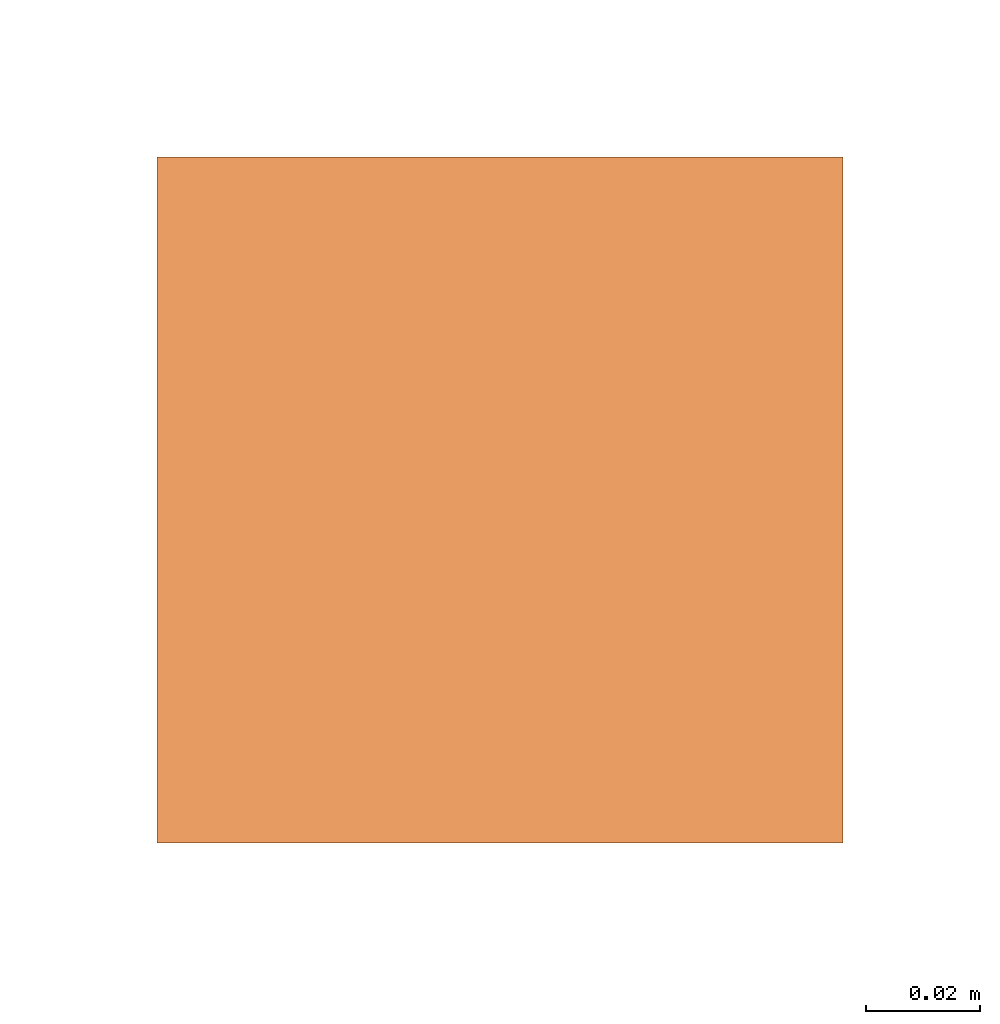
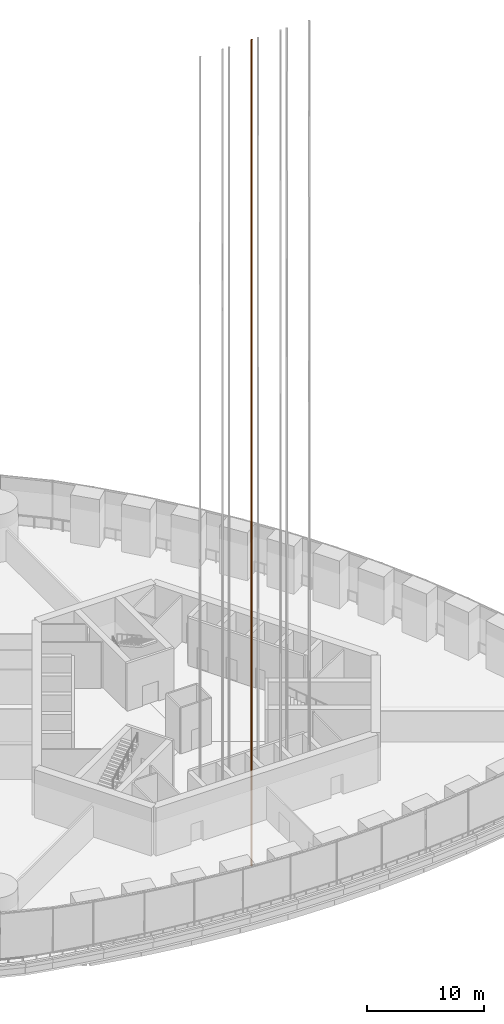
# One storey, part 27 of 31: 1 proxy.
"""IFC4 building model written with IfcOpenShell, lengths in metres."""

from ifc_helpers import new_model, si_unit, direction, frame, origin, origin_2d, place, context, subcontext, project, spatial, rectangle, extrude, element, save


model = new_model("IFC4")

# Units and contexts
model_context = context("Model", 3, precision=1e-05, world=origin(), true_north=direction((0.0, 1.0)))
body_context = subcontext(model_context, "Body", "Model", "MODEL_VIEW")
ifc_project = project(units=[si_unit("LENGTHUNIT", "METRE"), si_unit("AREAUNIT", "SQUARE_METRE"), si_unit("VOLUMEUNIT", "CUBIC_METRE"), si_unit("PLANEANGLEUNIT", "RADIAN"), si_unit("MASSUNIT", "GRAM", prefix="KILO")], contexts=[model_context])

# Site, building, storey
site_placement = place(None, origin())
site = spatial("IfcSite", under=ifc_project, at=site_placement, CompositionType="ELEMENT")
building_placement = place(site_placement, origin())
building = spatial("IfcBuilding", under=site, at=building_placement, Name="Trefoil Bronze Tower", CompositionType="ELEMENT")
storey_placement = place(building_placement, frame((0.0, 0.0, 184.699951171875)))
storey = spatial("IfcBuildingStorey", under=building, at=storey_placement, Name="L42", CompositionType="ELEMENT", Elevation=184.699951171875)

# Proxy
proxy_placement = place(storey_placement, frame((-0.31494140625, -11.3125, -6.0), z_axis=(0.0, 0.0, 1.0), x_axis=(1.0, 0.0, 0.0)))
element("IfcBuildingElementProxy", 1, at=proxy_placement, inside=storey, Name="Lift P32 guide rail 2", ObjectType="LIFT GUIDE RAIL", PredefinedType="USERDEFINED", context=body_context, shape_type="SweptSolid", body=[
    extrude(rectangle(XDim=0.1201171875, YDim=0.1201171875, at=origin_2d()), origin(), (0.0, 0.0, 1.0), 86.25),
])

save(model, "model.ifc")
